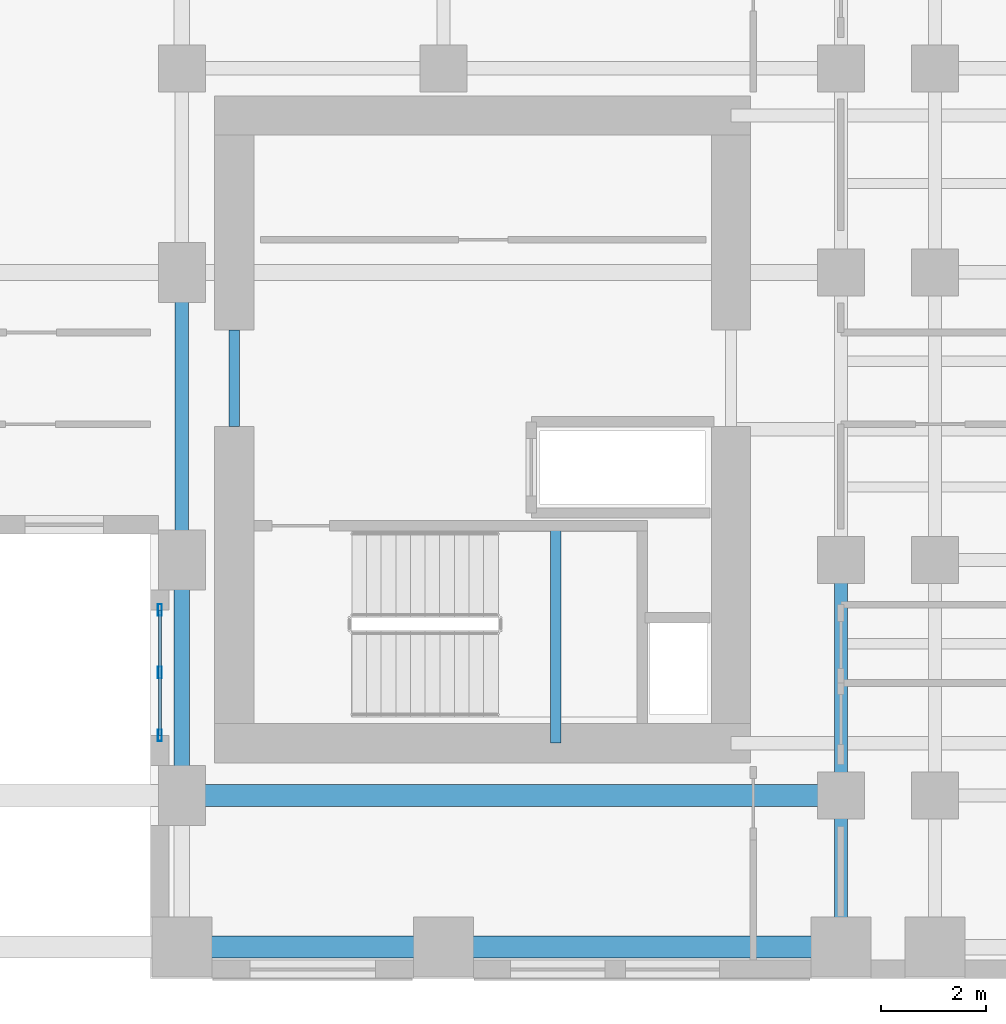
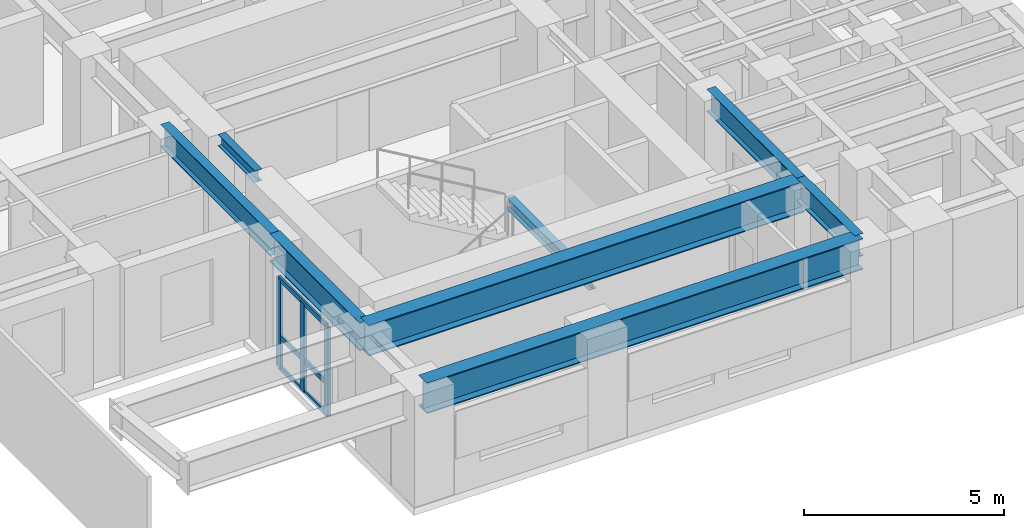
# One storey, part 3 of 14: 8 beams, 6 members, 1 element without a shape of its own.
"""IFC4 building model written with IfcOpenShell, lengths in metres."""

from ifc_helpers import new_model, si_unit, direction, frame, origin, origin_2d, place, context, subcontext, project, spatial, hollow_rectangle, i_section, extrude, source, transform, mapped, material, layer, layer_set, material_profile, profile_set, type_object, element, aggregate, save


model = new_model("IFC4")

# Units and contexts
model_context = context("Model", 3, precision=1e-05, world=origin(), true_north=direction((0.0, 1.0)))
body_context = subcontext(model_context, "Body", "Model", "MODEL_VIEW")
ifc_project = project(units=[si_unit("LENGTHUNIT", "METRE"), si_unit("AREAUNIT", "SQUARE_METRE"), si_unit("VOLUMEUNIT", "CUBIC_METRE"), si_unit("PLANEANGLEUNIT", "RADIAN"), si_unit("MASSUNIT", "GRAM", prefix="KILO")], contexts=[model_context])

# Site, building, storey
site_placement = place(None, origin())
site = spatial("IfcSite", under=ifc_project, at=site_placement, CompositionType="ELEMENT")
building_placement = place(site_placement, origin())
building = spatial("IfcBuilding", under=site, at=building_placement, Name="Kharzan Plaza Tower", CompositionType="ELEMENT")
storey_placement = place(building_placement, frame((0.0, 0.0, 102.60009765625)))
storey = spatial("IfcBuildingStorey", under=building, at=storey_placement, Name="L27", CompositionType="ELEMENT", Elevation=102.60009765625)

# Beams
ifc_material_1 = material(Name="Steel S355", Category="steel")
ifc_material_profile_1 = material_profile(ifc_material_1, i_section(OverallWidth=0.205078125, OverallDepth=0.35400390625, WebThickness=0.009521484375, FlangeThickness=0.016845703125, at=origin_2d()), Name="W360x79")
ifc_profile_set_1 = profile_set([ifc_material_profile_1], Name="Steel S355")
beam_type_1 = type_object("IfcBeamType", Name="BM-LNT360", PredefinedType="LINTEL", material=ifc_profile_set_1)
shared_shape_1 = source(origin(), body_context, "Body", "SweptSolid", [
    extrude(i_section(OverallWidth=0.205078125, OverallDepth=0.35400390625, WebThickness=0.009521484375, FlangeThickness=0.016845703125, at=origin_2d()), origin(), (0.0, 0.0, 1.0), 1.849853515625),
])
beam_1_placement = place(storey_placement, frame((36.0, 10.550048828125, 3.202880859375), z_axis=(0.0, 1.0, 0.0), x_axis=(-1.0, 0.0, 0.0)))
element("IfcBeam", 1, at=beam_1_placement, inside=storey, type_object=beam_type_1, Name="L27 CORE-B coupling lintel LN1-WW", PredefinedType="LINTEL", context=body_context, shape_type="MappedRepresentation", body=[
    mapped(shared_shape_1, transform((0.0, 0.0, 0.0), x_axis=(1.0, 0.0, 0.0), y_axis=(0.0, 1.0, 0.0), z_axis=(0.0, 0.0, 1.0))),
])
shared_shape_2 = source(origin(), body_context, "Body", "SweptSolid", [
    extrude(i_section(OverallWidth=0.205078125, OverallDepth=0.35400390625, WebThickness=0.009521484375, FlangeThickness=0.016845703125, at=origin_2d()), origin(), (0.0, 0.0, 1.0), 4.155029296875),
])
beam_2_placement = place(storey_placement, frame((42.14990234375, 4.5, 1.4228515625), z_axis=(0.0, 1.0, 0.0), x_axis=(-1.0, 0.0, 0.0)))
element("IfcBeam", 2, at=beam_2_placement, inside=storey, type_object=beam_type_1, Name="L27 Stair ST-3 Half-Landing Beam", PredefinedType="LINTEL", context=body_context, shape_type="MappedRepresentation", body=[
    mapped(shared_shape_2, transform((0.0, 0.0, 0.0), x_axis=(1.0, 0.0, 0.0), y_axis=(0.0, 1.0, 0.0), z_axis=(0.0, 0.0, 1.0))),
])

# Curtain wall, members
ifc_material_2 = material(Name="Unitised Bronze-Anodized Aluminium and Low-E Glass", Category="aluminium")
ifc_layer = layer(ifc_material_2, 0.199951171875)
ifc_layer_set = layer_set([ifc_layer], Name="Unitised Bronze-Anodized Aluminium and Low-E Glass")
curtain_wall_type = type_object("IfcCurtainWallType", Name="CW-SLOT-3", PredefinedType="NOTDEFINED", material=ifc_layer_set)
curtain_wall_placement = place(storey_placement, origin())
curtain_wall = element("IfcCurtainWall", 3, at=curtain_wall_placement, inside=storey, type_object=curtain_wall_type, Name="L27 East Slot Recessed Spine Curtain Wall", PredefinedType="NOTDEFINED")
ifc_material_3 = material(Name="Anodized Bronze Aluminium", Category="aluminium")
ifc_material_profile_2 = material_profile(ifc_material_3, hollow_rectangle(XDim=0.074951171875, YDim=0.219970703125, WallThickness=0.00390625, at=origin_2d()), Name="ALU-M220x75x4")
ifc_profile_set_2 = profile_set([ifc_material_profile_2], Name="Anodized Bronze Aluminium")
member_type_1 = type_object("IfcMemberType", Name="MEM-CW-MUL200", PredefinedType="MULLION", material=ifc_profile_set_2)
shared_shape_3 = source(origin(), body_context, "Body", "SweptSolid", [
    extrude(hollow_rectangle(XDim=0.074951171875, YDim=0.219970703125, WallThickness=0.00390625, at=origin_2d()), origin(), (0.0, 0.0, 1.0), 2.699951171875),
])
member_1_placement = place(storey_placement, frame((34.580078125, 4.64990234375, 0.0), z_axis=(0.0, 0.0, 1.0), x_axis=(1.0, 0.0, 0.0)))
member_1 = element("IfcMember", 4, at=member_1_placement, type_object=member_type_1, Name="L27 Curtain-Wall Mullion 00", PredefinedType="MULLION", context=body_context, shape_type="MappedRepresentation", body=[
    mapped(shared_shape_3, transform((0.0, 0.0, 0.0), x_axis=(1.0, 0.0, 0.0), y_axis=(0.0, 1.0, 0.0), z_axis=(0.0, 0.0, 1.0))),
])
member_2_placement = place(storey_placement, frame((34.580078125, 5.85009765625, 0.0), z_axis=(0.0, 0.0, 1.0), x_axis=(1.0, 0.0, 0.0)))
member_2 = element("IfcMember", 5, at=member_2_placement, type_object=member_type_1, Name="L27 Curtain-Wall Mullion 01", PredefinedType="MULLION", context=body_context, shape_type="MappedRepresentation", body=[
    mapped(shared_shape_3, transform((0.0, 0.0, 0.0), x_axis=(1.0, 0.0, 0.0), y_axis=(0.0, 1.0, 0.0), z_axis=(0.0, 0.0, 1.0))),
])
member_3_placement = place(storey_placement, frame((34.580078125, 7.050048828125, 0.0), z_axis=(0.0, 0.0, 1.0), x_axis=(1.0, 0.0, 0.0)))
member_3 = element("IfcMember", 6, at=member_3_placement, type_object=member_type_1, Name="L27 Curtain-Wall Mullion 02", PredefinedType="MULLION", context=body_context, shape_type="MappedRepresentation", body=[
    mapped(shared_shape_3, transform((0.0, 0.0, 0.0), x_axis=(1.0, 0.0, 0.0), y_axis=(0.0, 1.0, 0.0), z_axis=(0.0, 0.0, 1.0))),
])

# Beams
ifc_material_profile_3 = material_profile(ifc_material_1, i_section(OverallWidth=0.41796875, OverallDepth=0.93701171875, WebThickness=0.019287109375, FlangeThickness=0.031982421875, at=origin_2d()), Name="W920x342")
ifc_profile_set_3 = profile_set([ifc_material_profile_3], Name="Steel S355")
beam_type_2 = type_object("IfcBeamType", Name="BM-ZTB920", PredefinedType="BEAM", material=ifc_profile_set_3)
shared_shape_4 = source(origin(), body_context, "Body", "SweptSolid", [
    extrude(i_section(OverallWidth=0.41796875, OverallDepth=0.93701171875, WebThickness=0.019287109375, FlangeThickness=0.031982421875, at=origin_2d()), origin(), (0.0, 0.0, 1.0), 12.60009765625),
])
for number, where, z_axis, x_axis, name in (
    (7, (47.60009765625, 0.60009765625, 2.911376953125), (-1.0, 0.0, 0.0), (0.0, -1.0, 0.0), "L27 Sky-Terrace Back-Span Girder ZTB1 (L28 G1)"),
    (8, (47.60009765625, 3.5, 2.911376953125), (-1.0, 0.0, 0.0), (0.0, -1.0, 0.0), "L27 Sky-Terrace Back-Span Girder ZTB1 (L28 G2)"),
):
    element("IfcBeam", number, at=place(storey_placement, frame(where, z_axis=z_axis, x_axis=x_axis)), inside=storey, type_object=beam_type_2, Name=name, PredefinedType="BEAM", context=body_context, shape_type="MappedRepresentation", body=[
        mapped(shared_shape_4, transform((0.0, 0.0, 0.0), x_axis=(1.0, 0.0, 0.0), y_axis=(0.0, 1.0, 0.0), z_axis=(0.0, 0.0, 1.0))),
    ])

# Member
ifc_material_profile_4 = material_profile(ifc_material_3, hollow_rectangle(XDim=0.06005859375, YDim=0.14990234375, WallThickness=0.00341796875, at=origin_2d()), Name="ALU-T150x60x3.5")
ifc_profile_set_4 = profile_set([ifc_material_profile_4], Name="Anodized Bronze Aluminium")
member_type_2 = type_object("IfcMemberType", Name="MEM-CW-TRN150", PredefinedType="USERDEFINED", material=ifc_profile_set_4)
shared_shape_5 = source(origin(), body_context, "Body", "SweptSolid", [
    extrude(hollow_rectangle(XDim=0.06005859375, YDim=0.14990234375, WallThickness=0.00341796875, at=origin_2d()), origin(), (0.0, 0.0, 1.0), 2.400146484375),
])
member_4_placement = place(storey_placement, frame((34.580078125, 4.64990234375, 0.0), z_axis=(0.0, 1.0, 0.0), x_axis=(-1.0, 0.0, 0.0)))
member_4 = element("IfcMember", 9, at=member_4_placement, type_object=member_type_2, Name="L27 Curtain-Wall Transom 1", ObjectType="TRANSOM", PredefinedType="USERDEFINED", context=body_context, shape_type="MappedRepresentation", body=[
    mapped(shared_shape_5, transform((0.0, 0.0, 0.0), x_axis=(1.0, 0.0, 0.0), y_axis=(0.0, 1.0, 0.0), z_axis=(0.0, 0.0, 1.0))),
])

member_5_placement = place(storey_placement, frame((34.580078125, 4.64990234375, 0.949951171875), z_axis=(0.0, 1.0, 0.0), x_axis=(-1.0, 0.0, 0.0)))
member_5 = element("IfcMember", 10, at=member_5_placement, type_object=member_type_2, Name="L27 Curtain-Wall Transom 2", ObjectType="TRANSOM", PredefinedType="USERDEFINED", context=body_context, shape_type="MappedRepresentation", body=[
    mapped(shared_shape_5, transform((0.0, 0.0, 0.0), x_axis=(1.0, 0.0, 0.0), y_axis=(0.0, 1.0, 0.0), z_axis=(0.0, 0.0, 1.0))),
])

member_6_placement = place(storey_placement, frame((34.580078125, 4.64990234375, 2.699951171875), z_axis=(0.0, 1.0, 0.0), x_axis=(-1.0, 0.0, 0.0)))
member_6 = element("IfcMember", 11, at=member_6_placement, type_object=member_type_2, Name="L27 Curtain-Wall Transom 3", ObjectType="TRANSOM", PredefinedType="USERDEFINED", context=body_context, shape_type="MappedRepresentation", body=[
    mapped(shared_shape_5, transform((0.0, 0.0, 0.0), x_axis=(1.0, 0.0, 0.0), y_axis=(0.0, 1.0, 0.0), z_axis=(0.0, 0.0, 1.0))),
])

aggregate(curtain_wall, [member_1, member_2, member_3, member_4, member_5, member_6])

# Beams
ifc_material_profile_5 = material_profile(ifc_material_1, i_section(OverallWidth=0.25390625, OverallDepth=0.68798828125, WebThickness=0.01318359375, FlangeThickness=0.02099609375, at=origin_2d()), Name="W690x152")
ifc_profile_set_5 = profile_set([ifc_material_profile_5], Name="Steel S355")
beam_type_3 = type_object("IfcBeamType", Name="BM-FG690B", PredefinedType="BEAM", material=ifc_profile_set_5)
shared_shape_6 = source(origin(), body_context, "Body", "SweptSolid", [
    extrude(i_section(OverallWidth=0.25390625, OverallDepth=0.68798828125, WebThickness=0.01318359375, FlangeThickness=0.02099609375, at=origin_2d()), origin(), (0.0, 0.0, 1.0), 4.5),
])
beam_3_placement = place(storey_placement, frame((47.60009765625, 3.5, 3.035888671875), z_axis=(0.0, 1.0, 0.0), x_axis=(-1.0, 0.0, 0.0)))
element("IfcBeam", 12, at=beam_3_placement, inside=storey, type_object=beam_type_3, Name="L27 Interior Frame Girder", PredefinedType="BEAM", context=body_context, shape_type="MappedRepresentation", body=[
    mapped(shared_shape_6, transform((0.0, 0.0, 0.0), x_axis=(1.0, 0.0, 0.0), y_axis=(0.0, 1.0, 0.0), z_axis=(0.0, 0.0, 1.0))),
])
shared_shape_7 = source(origin(), body_context, "Body", "SweptSolid", [
    extrude(i_section(OverallWidth=0.25390625, OverallDepth=0.68798828125, WebThickness=0.01318359375, FlangeThickness=0.02099609375, at=origin_2d()), origin(), (0.0, 0.0, 1.0), 5.5),
])
beam_4_placement = place(storey_placement, frame((35.0, 8.0, 3.035888671875), z_axis=(0.0, 1.0, 0.0), x_axis=(-1.0, 0.0, 0.0)))
element("IfcBeam", 13, at=beam_4_placement, inside=storey, type_object=beam_type_3, Name="L27 Interior Frame Girder", PredefinedType="BEAM", context=body_context, shape_type="MappedRepresentation", body=[
    mapped(shared_shape_7, transform((0.0, 0.0, 0.0), x_axis=(1.0, 0.0, 0.0), y_axis=(0.0, 1.0, 0.0), z_axis=(0.0, 0.0, 1.0))),
])
shared_shape_8 = source(origin(), body_context, "Body", "SweptSolid", [
    extrude(i_section(OverallWidth=0.25390625, OverallDepth=0.68798828125, WebThickness=0.01318359375, FlangeThickness=0.02099609375, at=origin_2d()), origin(), (0.0, 0.0, 1.0), 2.89990234375),
])
beam_5_placement = place(storey_placement, frame((47.60009765625, 0.60009765625, 3.035888671875), z_axis=(0.0, 1.0, 0.0), x_axis=(-1.0, 0.0, 0.0)))
element("IfcBeam", 14, at=beam_5_placement, inside=storey, type_object=beam_type_3, Name="L27 Interior Frame Girder", PredefinedType="BEAM", context=body_context, shape_type="MappedRepresentation", body=[
    mapped(shared_shape_8, transform((0.0, 0.0, 0.0), x_axis=(1.0, 0.0, 0.0), y_axis=(0.0, 1.0, 0.0), z_axis=(0.0, 0.0, 1.0))),
])
ifc_material_profile_6 = material_profile(ifc_material_1, i_section(OverallWidth=0.299072265625, OverallDepth=0.845947265625, WebThickness=0.015380859375, FlangeThickness=0.0244140625, at=origin_2d()), Name="W840x210")
ifc_profile_set_6 = profile_set([ifc_material_profile_6], Name="Steel S355")
beam_type_4 = type_object("IfcBeamType", Name="BM-SP840B", PredefinedType="SPANDREL", material=ifc_profile_set_6)
shared_shape_9 = source(origin(), body_context, "Body", "SweptSolid", [
    extrude(i_section(OverallWidth=0.299072265625, OverallDepth=0.845947265625, WebThickness=0.015380859375, FlangeThickness=0.0244140625, at=origin_2d()), origin(), (0.0, 0.0, 1.0), 4.5),
])
beam_6_placement = place(storey_placement, frame((35.0, 3.5, 2.956787109375), z_axis=(0.0, 1.0, 0.0), x_axis=(-1.0, 0.0, 0.0)))
element("IfcBeam", 15, at=beam_6_placement, inside=storey, type_object=beam_type_4, Name="L27 Perimeter Tube Spandrel", PredefinedType="SPANDREL", context=body_context, shape_type="MappedRepresentation", body=[
    mapped(shared_shape_9, transform((0.0, 0.0, 0.0), x_axis=(1.0, 0.0, 0.0), y_axis=(0.0, 1.0, 0.0), z_axis=(0.0, 0.0, 1.0))),
])

save(model, "model.ifc")
